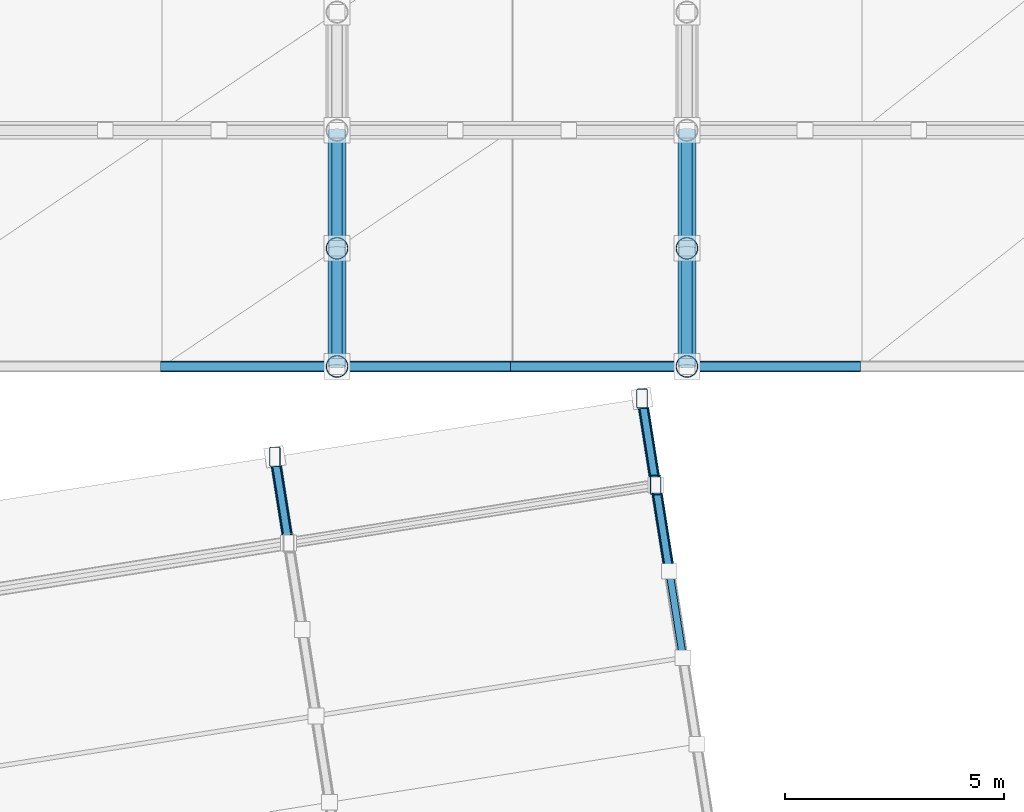
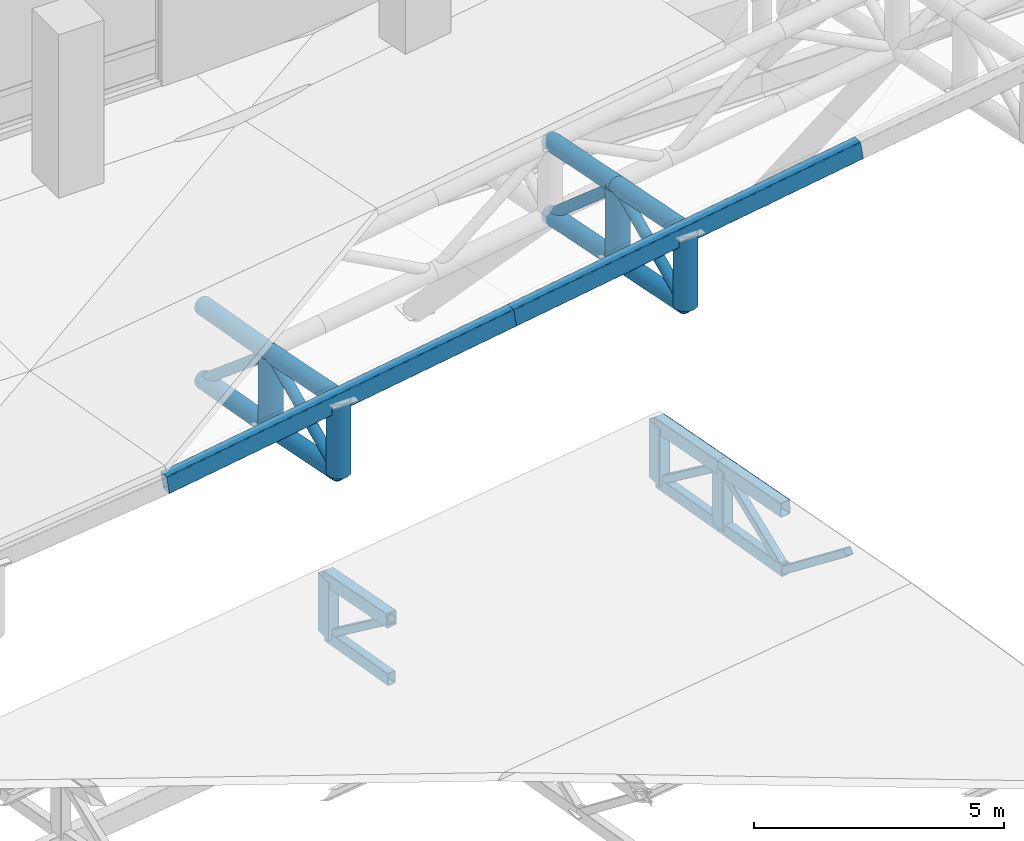
# One storey, part 23 of 137: 29 members, 2 beams.
"""IFC4 building model written with IfcOpenShell, lengths in metres."""

from ifc_helpers import new_model, si_unit, direction, frame, origin, origin_2d, place, context, subcontext, project, spatial, hollow_rectangle, hollow_circle, extrude, material, material_profile, profile_set, type_object, element, save


model = new_model("IFC4")

# Units and contexts
model_context = context("Model", 3, precision=1e-05, world=origin(), true_north=direction((0.0, 1.0)))
body_context = subcontext(model_context, "Body", "Model", "MODEL_VIEW")
ifc_project = project(units=[si_unit("LENGTHUNIT", "METRE"), si_unit("AREAUNIT", "SQUARE_METRE"), si_unit("VOLUMEUNIT", "CUBIC_METRE"), si_unit("PLANEANGLEUNIT", "RADIAN"), si_unit("MASSUNIT", "GRAM", prefix="KILO")], contexts=[model_context])

# Site, building, storey
site_placement = place(None, origin())
site = spatial("IfcSite", under=ifc_project, at=site_placement, CompositionType="ELEMENT")
building_placement = place(site_placement, origin())
building = spatial("IfcBuilding", under=site, at=building_placement, Name="Khorjan Park Terminus", CompositionType="ELEMENT")
storey_placement = place(building_placement, frame((0.0, 0.0, 11.4)))
storey = spatial("IfcBuildingStorey", under=building, at=storey_placement, Name="L02", CompositionType="ELEMENT", Elevation=11.4)

# Members
ifc_material = material(Name="Steel S355", Category="steel")
ifc_material_profile_1 = material_profile(ifc_material, hollow_rectangle(XDim=0.18, YDim=0.18, WallThickness=0.01, InnerFilletRadius=0.01, OuterFilletRadius=0.02, at=origin_2d()), Name="SHS 180x180x10")
ifc_profile_set_1 = profile_set([ifc_material_profile_1], Name="Steel S355")
member_type_1 = type_object("IfcMemberType", Name="MB-BR-SHS180E", PredefinedType="BRACE", material=ifc_profile_set_1)
member_1_placement = place(storey_placement, frame((110.8902, 11.1601, -0.56), z_axis=(-0.126923459014, 0.801549235728, -0.584302368861), x_axis=(-0.987693950393, -0.156399042059, 0.0)))
element("IfcMember", 1, at=member_1_placement, inside=storey, type_object=member_type_1, Name="Arrival canopy flat truss web brace TB-S18 (8)", PredefinedType="BRACE", context=body_context, shape_type="SweptSolid", body=[
    extrude(hollow_rectangle(XDim=0.18, YDim=0.18, WallThickness=0.01, InnerFilletRadius=0.01, OuterFilletRadius=0.02, at=origin_2d()), origin(), (0.0, 0.0, 1.0), 2.4645),
])
member_2_placement = place(storey_placement, frame((119.9113, 8.5391, -0.48), z_axis=(-0.124523181709, 0.786351153547, -0.605099859967), x_axis=(-0.987692727277, -0.156406766108, 0.0)))
element("IfcMember", 2, at=member_2_placement, inside=storey, type_object=member_type_1, Name="Arrival canopy flat truss web brace TB-S18 (9)", PredefinedType="BRACE", context=body_context, shape_type="SweptSolid", body=[
    extrude(hollow_rectangle(XDim=0.18, YDim=0.18, WallThickness=0.01, InnerFilletRadius=0.01, OuterFilletRadius=0.02, at=origin_2d()), origin(), (0.0, 0.0, 1.0), 2.512),
])
for number, where, z_axis, x_axis, name in (
    (3, (119.5985, 10.5144, -2.0), (-0.126963381588, 0.801545107028, 0.584299359178), (-0.987686225577, -0.156447818155, 0.0), "Arrival canopy flat truss web brace TB-S18 (9)"),
    (4, (119.2856, 12.4898, -0.56), (-0.126963381588, 0.801545107028, -0.584299359178), (-0.987686225577, -0.156447818155, 0.0), "Arrival canopy flat truss web brace TB-S18 (9)"),
):
    element("IfcMember", number, at=place(storey_placement, frame(where, z_axis=z_axis, x_axis=x_axis)), inside=storey, type_object=member_type_1, Name=name, PredefinedType="BRACE", context=body_context, shape_type="SweptSolid", body=[
        extrude(hollow_rectangle(XDim=0.18, YDim=0.18, WallThickness=0.01, InnerFilletRadius=0.01, OuterFilletRadius=0.02, at=origin_2d()), origin(), (0.0, 0.0, 1.0), 2.4645),
    ])
ifc_material_profile_2 = material_profile(ifc_material, hollow_circle(Radius=0.1222, WallThickness=0.0125, at=origin_2d()), Name="CHS 244.5x12.5")
ifc_profile_set_2 = profile_set([ifc_material_profile_2], Name="Steel S355")
member_type_2 = type_object("IfcMemberType", Name="MB-BRE-245", PredefinedType="BRACE", material=ifc_profile_set_2)
member_3_placement = place(storey_placement, frame((112.0, 15.2, 0.1947), z_axis=(0.0, 0.906376008919, 0.422471928602), x_axis=(-1.0, 0.0, 0.0)))
element("IfcMember", 5, at=member_3_placement, inside=storey, type_object=member_type_2, Name="Lower shell cantilever truss diagonal (9S)", PredefinedType="BRACE", context=body_context, shape_type="SweptSolid", body=[
    extrude(hollow_circle(Radius=0.1222, WallThickness=0.0125, at=origin_2d()), origin(), (0.0, 0.0, 1.0), 2.9789),
])
member_4_placement = place(storey_placement, frame((112.0, 17.9, 1.4532), z_axis=(0.0, 0.763904382363, -0.645329446567), x_axis=(-1.0, 0.0, 0.0)))
element("IfcMember", 6, at=member_4_placement, inside=storey, type_object=member_type_2, Name="Lower shell cantilever truss diagonal (9S)", PredefinedType="BRACE", context=body_context, shape_type="SweptSolid", body=[
    extrude(hollow_circle(Radius=0.1222, WallThickness=0.0125, at=origin_2d()), origin(), (0.0, 0.0, 1.0), 3.5345),
])
member_5_placement = place(storey_placement, frame((120.0, 15.2, 1.4768), z_axis=(0.0, 0.906376008919, 0.422471928602), x_axis=(-1.0, 0.0, 0.0)))
element("IfcMember", 7, at=member_5_placement, inside=storey, type_object=member_type_2, Name="Lower shell cantilever truss diagonal (10S)", PredefinedType="BRACE", context=body_context, shape_type="SweptSolid", body=[
    extrude(hollow_circle(Radius=0.1222, WallThickness=0.0125, at=origin_2d()), origin(), (0.0, 0.0, 1.0), 2.9789),
])
member_6_placement = place(storey_placement, frame((120.0, 17.9, 2.7353), z_axis=(0.0, 0.755481319374, -0.655170188635), x_axis=(-1.0, 0.0, 0.0)))
element("IfcMember", 8, at=member_6_placement, inside=storey, type_object=member_type_2, Name="Lower shell cantilever truss diagonal (10S)", PredefinedType="BRACE", context=body_context, shape_type="SweptSolid", body=[
    extrude(hollow_circle(Radius=0.1222, WallThickness=0.0125, at=origin_2d()), origin(), (0.0, 0.0, 1.0), 3.5739),
])
ifc_material_profile_3 = material_profile(ifc_material, hollow_rectangle(XDim=0.2, YDim=0.3, WallThickness=0.0125, InnerFilletRadius=0.0125, OuterFilletRadius=0.025, at=origin_2d()), Name="RHS 300x200x12.5")
ifc_profile_set_3 = profile_set([ifc_material_profile_3], Name="Steel S355")
member_type_3 = type_object("IfcMemberType", Name="MB-CH-RHS300E", PredefinedType="CHORD", material=ifc_profile_set_3)
for number, where, z_axis, x_axis, name in (
    (9, (110.8902, 11.1601, -2.0), (-0.156399042059, 0.987693950393, 0.0), (-0.987693950393, -0.156399042059, 0.0), "Arrival canopy flat truss bottom chord TC-R30 (8)"),
    (10, (119.5985, 10.5144, -2.0), (-0.156447818155, 0.987686225577, 0.0), (-0.987686225577, -0.156447818155, 0.0), "Arrival canopy flat truss bottom chord TC-R30 (9)"),
    (11, (119.2856, 12.4898, -2.0), (-0.156447818155, 0.987686225577, 0.0), (-0.987686225577, -0.156447818155, 0.0), "Arrival canopy flat truss bottom chord TC-R30 (9)"),
):
    element("IfcMember", number, at=place(storey_placement, frame(where, z_axis=z_axis, x_axis=x_axis)), inside=storey, type_object=member_type_3, Name=name, PredefinedType="CHORD", context=body_context, shape_type="SweptSolid", body=[
        extrude(hollow_rectangle(XDim=0.2, YDim=0.3, WallThickness=0.0125, InnerFilletRadius=0.0125, OuterFilletRadius=0.025, at=origin_2d()), origin(), (0.0, 0.0, 1.0), 2.0),
    ])
ifc_material_profile_4 = material_profile(ifc_material, hollow_rectangle(XDim=0.25, YDim=0.35, WallThickness=0.0125, InnerFilletRadius=0.0125, OuterFilletRadius=0.025, at=origin_2d()), Name="RHS 350x250x12.5")
ifc_profile_set_4 = profile_set([ifc_material_profile_4], Name="Steel S355")
member_type_4 = type_object("IfcMemberType", Name="MB-CH-RHS350E", PredefinedType="CHORD", material=ifc_profile_set_4)
for number, where, z_axis, x_axis, name in (
    (12, (110.8902, 11.1601, -0.56), (-0.156367772014, 0.987496473263, -0.019995878774), (-0.987693950393, -0.156399042059, 0.0), "Arrival canopy flat truss top chord TC-R35 (8)"),
    (13, (119.5985, 10.5144, -0.52), (-0.156416538847, 0.98748875308, -0.019995722448), (-0.987686225577, -0.156447818155, 0.0), "Arrival canopy flat truss top chord TC-R35 (9)"),
    (14, (119.2856, 12.4898, -0.56), (-0.156416538847, 0.98748875308, -0.019995722448), (-0.987686225577, -0.156447818155, 0.0), "Arrival canopy flat truss top chord TC-R35 (9)"),
):
    element("IfcMember", number, at=place(storey_placement, frame(where, z_axis=z_axis, x_axis=x_axis)), inside=storey, type_object=member_type_4, Name=name, PredefinedType="CHORD", context=body_context, shape_type="SweptSolid", body=[
        extrude(hollow_rectangle(XDim=0.25, YDim=0.35, WallThickness=0.0125, InnerFilletRadius=0.0125, OuterFilletRadius=0.025, at=origin_2d()), origin(), (0.0, 0.0, 1.0), 2.0004),
    ])
ifc_material_profile_5 = material_profile(ifc_material, hollow_circle(Radius=0.2032, WallThickness=0.016, at=origin_2d()), Name="CHS 406.4x16")
ifc_profile_set_5 = profile_set([ifc_material_profile_5], Name="Steel S355")
member_type_5 = type_object("IfcMemberType", Name="MB-CHE-406", PredefinedType="CHORD", material=ifc_profile_set_5)
for number, where, z_axis, x_axis, name in (
    (15, (112.0, 15.2, 1.9947), (0.0, 0.980475784127, -0.196639865594), (-1.0, 0.0, 0.0), "Lower shell cantilever truss top chord (9S)"),
    (16, (112.0, 15.2, 0.1947), (0.0, 0.980475784127, -0.196639865594), (-1.0, 0.0, 0.0), "Lower shell cantilever truss bottom chord (9S)"),
):
    element("IfcMember", number, at=place(storey_placement, frame(where, z_axis=z_axis, x_axis=x_axis)), inside=storey, type_object=member_type_5, Name=name, PredefinedType="CHORD", context=body_context, shape_type="SweptSolid", body=[
        extrude(hollow_circle(Radius=0.2032, WallThickness=0.016, at=origin_2d()), origin(), (0.0, 0.0, 1.0), 2.7538),
    ])
for number, where, z_axis, x_axis, name in (
    (17, (112.0, 17.9, 1.4532), (0.0, 0.98450590268, -0.175351440222), (-1.0, 0.0, 0.0), "Lower shell cantilever truss top chord (9S)"),
    (18, (112.0, 17.9, -0.3468), (0.0, 0.98450590268, -0.175351440222), (-1.0, 0.0, 0.0), "Lower shell cantilever truss bottom chord (9S)"),
):
    element("IfcMember", number, at=place(storey_placement, frame(where, z_axis=z_axis, x_axis=x_axis)), inside=storey, type_object=member_type_5, Name=name, PredefinedType="CHORD", context=body_context, shape_type="SweptSolid", body=[
        extrude(hollow_circle(Radius=0.2032, WallThickness=0.016, at=origin_2d()), origin(), (0.0, 0.0, 1.0), 2.7425),
    ])
for number, where, z_axis, x_axis, name in (
    (19, (120.0, 15.2, 3.2768), (0.0, 0.980475784127, -0.196639865594), (-1.0, 0.0, 0.0), "Lower shell cantilever truss top chord (10S)"),
    (20, (120.0, 15.2, 1.4768), (0.0, 0.980475784127, -0.196639865594), (-1.0, 0.0, 0.0), "Lower shell cantilever truss bottom chord (10S)"),
    (21, (120.0, 17.9, 2.7353), (0.0, 0.980475784127, -0.196639865594), (-1.0, 0.0, 0.0), "Lower shell cantilever truss top chord (10S)"),
    (22, (120.0, 17.9, 0.9353), (0.0, 0.980475784127, -0.196639865594), (-1.0, 0.0, 0.0), "Lower shell cantilever truss bottom chord (10S)"),
):
    element("IfcMember", number, at=place(storey_placement, frame(where, z_axis=z_axis, x_axis=x_axis)), inside=storey, type_object=member_type_5, Name=name, PredefinedType="CHORD", context=body_context, shape_type="SweptSolid", body=[
        extrude(hollow_circle(Radius=0.2032, WallThickness=0.016, at=origin_2d()), origin(), (0.0, 0.0, 1.0), 2.7538),
    ])
ifc_material_profile_6 = material_profile(ifc_material, hollow_circle(Radius=0.254, WallThickness=0.02, at=origin_2d()), Name="CHS 508x20")
ifc_profile_set_6 = profile_set([ifc_material_profile_6], Name="Steel S355")
member_type_6 = type_object("IfcMemberType", Name="MB-STE-508", PredefinedType="STRUT", material=ifc_profile_set_6)
for number, where, z_axis, x_axis, name in (
    (23, (112.0, 15.2, 0.1947), (0.0, 0.0, 1.0), (1.0, 0.0, 0.0), "Lower shell cantilever truss post (9S)"),
    (24, (112.0, 17.9, -0.3468), (0.0, 0.0, 1.0), (1.0, 0.0, 0.0), "Lower shell cantilever truss post (9S)"),
    (25, (120.0, 15.2, 1.4768), (0.0, 0.0, 1.0), (1.0, 0.0, 0.0), "Lower shell cantilever truss post (10S)"),
    (26, (120.0, 17.9, 0.9353), (0.0, 0.0, 1.0), (1.0, 0.0, 0.0), "Lower shell cantilever truss post (10S)"),
):
    element("IfcMember", number, at=place(storey_placement, frame(where, z_axis=z_axis, x_axis=x_axis)), inside=storey, type_object=member_type_6, Name=name, PredefinedType="STRUT", context=body_context, shape_type="SweptSolid", body=[
        extrude(hollow_circle(Radius=0.254, WallThickness=0.02, at=origin_2d()), origin(), (0.0, 0.0, 1.0), 1.8),
    ])
ifc_material_profile_7 = material_profile(ifc_material, hollow_rectangle(XDim=0.25, YDim=0.45, WallThickness=0.016, InnerFilletRadius=0.016, OuterFilletRadius=0.032, at=origin_2d()), Name="RHS 450x250x16")
ifc_profile_set_7 = profile_set([ifc_material_profile_7], Name="Steel S355")
member_type_7 = type_object("IfcMemberType", Name="MB-STE-RHS250", PredefinedType="STRUT", material=ifc_profile_set_7)
member_7_placement = place(storey_placement, frame((110.5774, 13.1355, -2.0), z_axis=(0.0, 0.0, 1.0), x_axis=(1.0, 0.0, 0.0)))
element("IfcMember", 27, at=member_7_placement, inside=storey, type_object=member_type_7, Name="Arrival canopy truss post STE-R25 (8N)", PredefinedType="STRUT", context=body_context, shape_type="SweptSolid", body=[
    extrude(hollow_rectangle(XDim=0.25, YDim=0.45, WallThickness=0.016, InnerFilletRadius=0.016, OuterFilletRadius=0.032, at=origin_2d()), origin(), (0.0, 0.0, 1.0), 1.4),
])
member_8_placement = place(storey_placement, frame((119.2856, 12.4898, -2.0), z_axis=(0.0, 0.0, 1.0), x_axis=(1.0, 0.0, 0.0)))
element("IfcMember", 28, at=member_8_placement, inside=storey, type_object=member_type_7, Name="Arrival canopy truss post STE-R25 (9CN)", PredefinedType="STRUT", context=body_context, shape_type="SweptSolid", body=[
    extrude(hollow_rectangle(XDim=0.25, YDim=0.45, WallThickness=0.016, InnerFilletRadius=0.016, OuterFilletRadius=0.032, at=origin_2d()), origin(), (0.0, 0.0, 1.0), 1.44),
])
member_9_placement = place(storey_placement, frame((118.9727, 14.4652, -2.0), z_axis=(0.0, 0.0, 1.0), x_axis=(1.0, 0.0, 0.0)))
element("IfcMember", 29, at=member_9_placement, inside=storey, type_object=member_type_7, Name="Arrival canopy truss post STE-R25 (9N)", PredefinedType="STRUT", context=body_context, shape_type="SweptSolid", body=[
    extrude(hollow_rectangle(XDim=0.25, YDim=0.45, WallThickness=0.016, InnerFilletRadius=0.016, OuterFilletRadius=0.032, at=origin_2d()), origin(), (0.0, 0.0, 1.0), 1.4),
])

# Beams
ifc_material_profile_8 = material_profile(ifc_material, hollow_rectangle(XDim=0.25, YDim=0.45, WallThickness=0.016, InnerFilletRadius=0.016, OuterFilletRadius=0.032, at=origin_2d()), Name="RHS 450x250x16")
ifc_profile_set_8 = profile_set([ifc_material_profile_8], Name="Steel S355")
beam_type = type_object("IfcBeamType", Name="SP-RHS450", PredefinedType="SPANDREL", material=ifc_profile_set_8)
for number, where, z_axis, x_axis, name in (
    (30, (108.0, 15.2, 1.3316), (0.987400163922, 0.0, 0.158243218771), (0.0, 1.0, 0.0), "Lower wrapping shell upturned edge beam SP-R45 (11)"),
    (31, (116.0, 15.2, 2.6137), (0.987398235344, 0.0, 0.15825525217), (0.0, 1.0, 0.0), "Lower wrapping shell upturned edge beam SP-R45 (12)"),
):
    element("IfcBeam", number, at=place(storey_placement, frame(where, z_axis=z_axis, x_axis=x_axis)), inside=storey, type_object=beam_type, Name=name, PredefinedType="SPANDREL", context=body_context, shape_type="SweptSolid", body=[
        extrude(hollow_rectangle(XDim=0.25, YDim=0.45, WallThickness=0.016, InnerFilletRadius=0.016, OuterFilletRadius=0.032, at=origin_2d()), origin(), (0.0, 0.0, 1.0), 8.1021),
    ])

save(model, "model.ifc")
